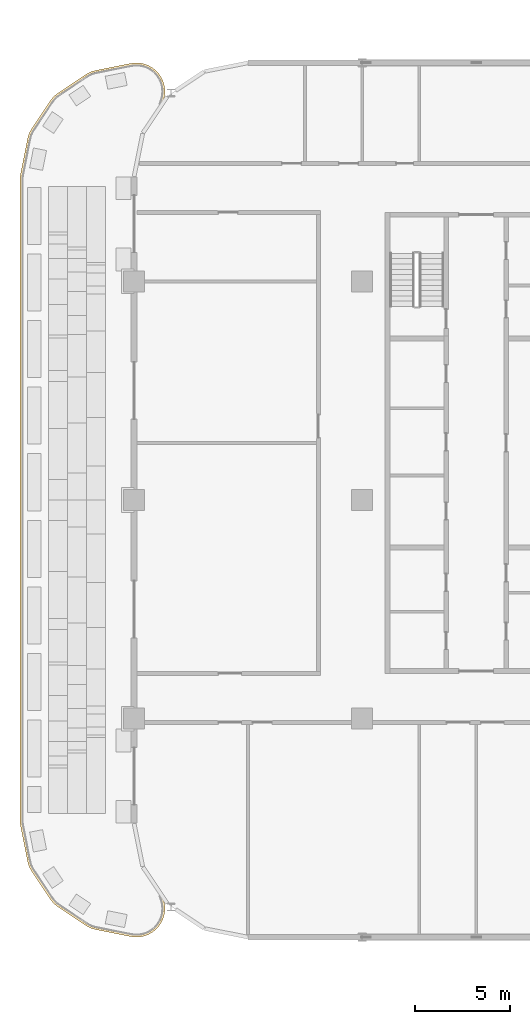
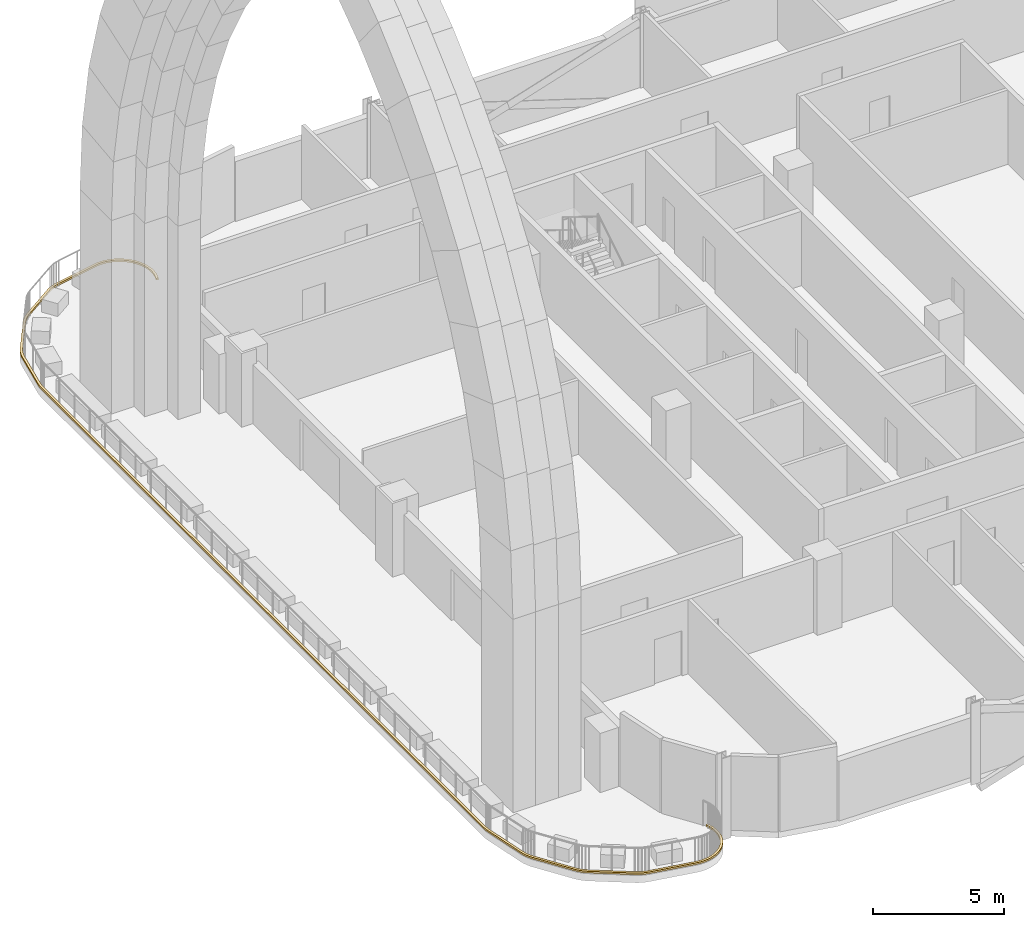
# One storey, part 21 of 28: 1 covering.
"""IFC4 building model written with IfcOpenShell, lengths in metres."""

from ifc_helpers import new_model, si_unit, direction, frame, origin, place, context, subcontext, project, spatial, polyline, outline, extrude, material, layer, layer_set, type_object, element, save


model = new_model("IFC4")

# Units and contexts
model_context = context("Model", 3, precision=1e-05, world=origin(), true_north=direction((0.0, 1.0)))
body_context = subcontext(model_context, "Body", "Model", "MODEL_VIEW")
ifc_project = project(units=[si_unit("LENGTHUNIT", "METRE"), si_unit("AREAUNIT", "SQUARE_METRE"), si_unit("VOLUMEUNIT", "CUBIC_METRE"), si_unit("PLANEANGLEUNIT", "RADIAN"), si_unit("MASSUNIT", "GRAM", prefix="KILO")], contexts=[model_context])

# Site, building, storey
site_placement = place(None, origin())
site = spatial("IfcSite", under=ifc_project, at=site_placement, CompositionType="ELEMENT")
building_placement = place(site_placement, origin())
building = spatial("IfcBuilding", under=site, at=building_placement, Name="Mahtab Terrace Research Tower", CompositionType="ELEMENT")
storey_placement = place(building_placement, frame((0.0, 0.0, 193.89990234375)))
storey = spatial("IfcBuildingStorey", under=building, at=storey_placement, Name="L46", CompositionType="ELEMENT", Elevation=193.89990234375)

# Covering
ifc_material = material(Name="Precast concrete C40/50", Category="concrete")
ifc_layer = layer(ifc_material, 0.199951171875)
ifc_layer_set = layer_set([ifc_layer], Name="Precast coping 400")
covering_type = type_object("IfcCoveringType", Name="Precast coping 400", PredefinedType="MOLDING", material=ifc_layer_set)
covering_placement = place(storey_placement, frame((0.0, 0.0, 0.030029296875)))
element("IfcCovering", 1, at=covering_placement, inside=storey, type_object=covering_type, Name="Terrace edge coping 5.1", PredefinedType="MOLDING", context=body_context, shape_type="SweptSolid", body=[
    extrude(outline(polyline([(-40.5390625, 21.087890625), (-40.5048828125, 21.221923828125), (-40.485107421875, 21.35791015625), (-40.47802734375, 21.4951171875), (-40.485107421875, 21.632080078125), (-40.5048828125, 21.76708984375), (-40.5390625, 21.90087890625), (-40.5849609375, 22.031005859375), (-40.64306640625, 22.155029296875), (-40.714111328125, 22.27197265625), (-40.797119140625, 22.383056640625), (-40.887939453125, 22.485107421875), (-40.989990234375, 22.575927734375), (-41.10107421875, 22.658935546875), (-41.218017578125, 22.72998046875), (-41.342041015625, 22.7880859375), (-41.471923828125, 22.833984375), (-41.60595703125, 22.867919921875), (-41.740966796875, 22.887939453125), (-41.8779296875, 22.89501953125), (-42.014892578125, 22.887939453125), (-42.154052734375, 22.866943359375), (-43.98095703125, 22.5029296875), (-44.116943359375, 22.469970703125), (-44.2470703125, 22.424072265625), (-44.37109375, 22.364990234375), (-44.490966796875, 22.29296875), (-45.93798828125, 21.325927734375), (-46.050048828125, 21.243896484375), (-46.15087890625, 21.15087890625), (-46.243896484375, 21.050048828125), (-46.325927734375, 20.93798828125), (-47.29296875, 19.490966796875), (-47.364990234375, 19.37109375), (-47.424072265625, 19.2470703125), (-47.469970703125, 19.116943359375), (-47.5029296875, 18.98095703125), (-47.8720703125, 17.1279296875), (-47.89306640625, 16.989013671875), (-47.89990234375, 16.85009765625), (-47.89990234375, -16.85009765625), (-47.89306640625, -16.989013671875), (-47.8720703125, -17.1279296875), (-47.5029296875, -18.98095703125), (-47.469970703125, -19.116943359375), (-47.424072265625, -19.2470703125), (-47.364990234375, -19.37109375), (-47.29296875, -19.490966796875), (-46.325927734375, -20.93798828125), (-46.243896484375, -21.050048828125), (-46.15087890625, -21.15087890625), (-46.050048828125, -21.243896484375), (-45.93798828125, -21.325927734375), (-44.490966796875, -22.29296875), (-44.37109375, -22.364990234375), (-44.2470703125, -22.424072265625), (-44.116943359375, -22.469970703125), (-43.98095703125, -22.5029296875), (-42.154052734375, -22.866943359375), (-42.014892578125, -22.887939453125), (-41.8779296875, -22.89501953125), (-41.740966796875, -22.887939453125), (-41.60595703125, -22.867919921875), (-41.471923828125, -22.833984375), (-41.342041015625, -22.7880859375), (-41.218017578125, -22.72998046875), (-41.10107421875, -22.658935546875), (-40.989990234375, -22.575927734375), (-40.887939453125, -22.485107421875), (-40.797119140625, -22.383056640625), (-40.714111328125, -22.27197265625), (-40.64306640625, -22.155029296875), (-40.5849609375, -22.031005859375), (-40.5390625, -21.90087890625), (-40.5048828125, -21.76708984375), (-40.485107421875, -21.632080078125), (-40.47802734375, -21.4951171875), (-40.485107421875, -21.35791015625), (-40.5048828125, -21.221923828125), (-40.5390625, -21.087890625), (-40.583984375, -20.9609375), (-40.489990234375, -20.927978515625), (-40.444091796875, -21.056884765625), (-40.44189453125, -21.06103515625), (-40.407958984375, -21.199951171875), (-40.406982421875, -21.2041015625), (-40.385009765625, -21.344970703125), (-40.385009765625, -21.35107421875), (-40.3779296875, -21.492919921875), (-40.3779296875, -21.4970703125), (-40.385009765625, -21.638916015625), (-40.385009765625, -21.64501953125), (-40.406982421875, -21.784912109375), (-40.407958984375, -21.7890625), (-40.44189453125, -21.927978515625), (-40.444091796875, -21.931884765625), (-40.490966796875, -22.06689453125), (-40.492919921875, -22.071044921875), (-40.553955078125, -22.199951171875), (-40.555908203125, -22.2041015625), (-40.6298828125, -22.325927734375), (-40.632080078125, -22.330078125), (-40.718017578125, -22.444091796875), (-40.719970703125, -22.447998046875), (-40.81494140625, -22.553955078125), (-40.819091796875, -22.55810546875), (-40.925048828125, -22.653076171875), (-40.928955078125, -22.655029296875), (-41.04296875, -22.740966796875), (-41.047119140625, -22.742919921875), (-41.1689453125, -22.81689453125), (-41.173095703125, -22.819091796875), (-41.302001953125, -22.8798828125), (-41.305908203125, -22.882080078125), (-41.44091796875, -22.928955078125), (-41.445068359375, -22.930908203125), (-41.583984375, -22.965087890625), (-41.587890625, -22.966064453125), (-41.72802734375, -22.988037109375), (-41.73388671875, -22.988037109375), (-41.8759765625, -22.9951171875), (-41.8798828125, -22.9951171875), (-42.02197265625, -22.988037109375), (-42.028076171875, -22.988037109375), (-42.169921875, -22.966064453125), (-42.172119140625, -22.966064453125), (-44.001953125, -22.60107421875), (-44.00390625, -22.60107421875), (-44.14306640625, -22.56689453125), (-44.14794921875, -22.56494140625), (-44.282958984375, -22.51708984375), (-44.287109375, -22.514892578125), (-44.416015625, -22.4541015625), (-44.419921875, -22.451904296875), (-44.54296875, -22.37890625), (-44.544921875, -22.376953125), (-45.993896484375, -21.408935546875), (-45.99609375, -21.406982421875), (-46.111083984375, -21.322998046875), (-46.114990234375, -21.319091796875), (-46.219970703125, -21.22412109375), (-46.22412109375, -21.219970703125), (-46.319091796875, -21.114990234375), (-46.322998046875, -21.111083984375), (-46.406982421875, -20.99609375), (-46.408935546875, -20.993896484375), (-47.376953125, -19.544921875), (-47.37890625, -19.54296875), (-47.451904296875, -19.419921875), (-47.4541015625, -19.416015625), (-47.514892578125, -19.287109375), (-47.51708984375, -19.282958984375), (-47.56494140625, -19.14794921875), (-47.56689453125, -19.14306640625), (-47.60107421875, -19.00390625), (-47.60107421875, -19.001953125), (-47.970947265625, -17.14599609375), (-47.970947265625, -17.14404296875), (-47.992919921875, -17.001953125), (-47.992919921875, -16.99609375), (-48.0, -16.85302734375), (-48.0, -16.85107421875), (-48.0, 16.85107421875), (-48.0, 16.85302734375), (-47.992919921875, 16.99609375), (-47.992919921875, 17.001953125), (-47.970947265625, 17.14404296875), (-47.970947265625, 17.14599609375), (-47.60107421875, 19.001953125), (-47.60107421875, 19.00390625), (-47.56689453125, 19.14306640625), (-47.56494140625, 19.14794921875), (-47.51708984375, 19.282958984375), (-47.514892578125, 19.287109375), (-47.4541015625, 19.416015625), (-47.451904296875, 19.419921875), (-47.37890625, 19.54296875), (-47.376953125, 19.544921875), (-46.408935546875, 20.993896484375), (-46.406982421875, 20.99609375), (-46.322998046875, 21.111083984375), (-46.319091796875, 21.114990234375), (-46.22412109375, 21.219970703125), (-46.219970703125, 21.22412109375), (-46.114990234375, 21.319091796875), (-46.111083984375, 21.322998046875), (-45.99609375, 21.406982421875), (-45.993896484375, 21.408935546875), (-44.544921875, 22.376953125), (-44.54296875, 22.37890625), (-44.419921875, 22.451904296875), (-44.416015625, 22.4541015625), (-44.287109375, 22.514892578125), (-44.282958984375, 22.51708984375), (-44.14794921875, 22.56494140625), (-44.14306640625, 22.56689453125), (-44.00390625, 22.60107421875), (-44.001953125, 22.60107421875), (-42.172119140625, 22.966064453125), (-42.169921875, 22.966064453125), (-42.028076171875, 22.988037109375), (-42.02197265625, 22.988037109375), (-41.8798828125, 22.9951171875), (-41.8759765625, 22.9951171875), (-41.73388671875, 22.988037109375), (-41.72802734375, 22.988037109375), (-41.587890625, 22.966064453125), (-41.583984375, 22.965087890625), (-41.445068359375, 22.930908203125), (-41.44091796875, 22.928955078125), (-41.305908203125, 22.882080078125), (-41.302001953125, 22.8798828125), (-41.173095703125, 22.819091796875), (-41.1689453125, 22.81689453125), (-41.047119140625, 22.742919921875), (-41.04296875, 22.740966796875), (-40.928955078125, 22.655029296875), (-40.925048828125, 22.653076171875), (-40.819091796875, 22.55810546875), (-40.81494140625, 22.553955078125), (-40.719970703125, 22.447998046875), (-40.718017578125, 22.444091796875), (-40.632080078125, 22.330078125), (-40.6298828125, 22.325927734375), (-40.555908203125, 22.2041015625), (-40.553955078125, 22.199951171875), (-40.492919921875, 22.071044921875), (-40.490966796875, 22.06689453125), (-40.444091796875, 21.931884765625), (-40.44189453125, 21.927978515625), (-40.407958984375, 21.7890625), (-40.406982421875, 21.784912109375), (-40.385009765625, 21.64501953125), (-40.385009765625, 21.638916015625), (-40.3779296875, 21.4970703125), (-40.3779296875, 21.492919921875), (-40.385009765625, 21.35107421875), (-40.385009765625, 21.344970703125), (-40.406982421875, 21.2041015625), (-40.407958984375, 21.199951171875), (-40.44189453125, 21.06103515625), (-40.444091796875, 21.056884765625), (-40.489990234375, 20.927978515625), (-40.583984375, 20.9609375), (-40.5390625, 21.087890625)])), origin(), (0.0, 0.0, 1.0), 0.080078125),
])

save(model, "model.ifc")
